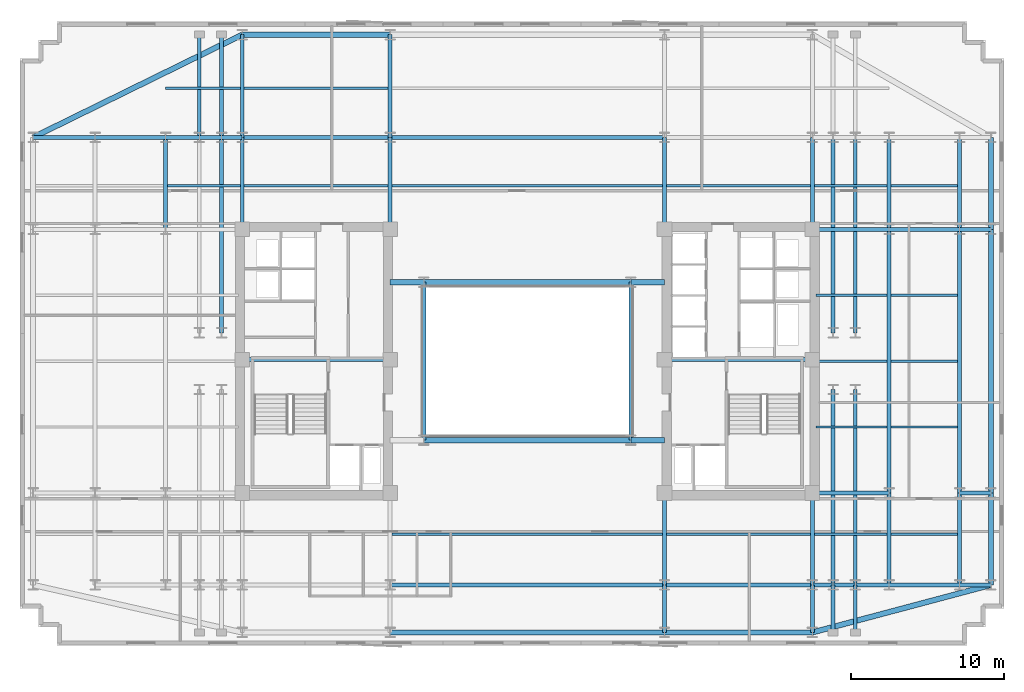
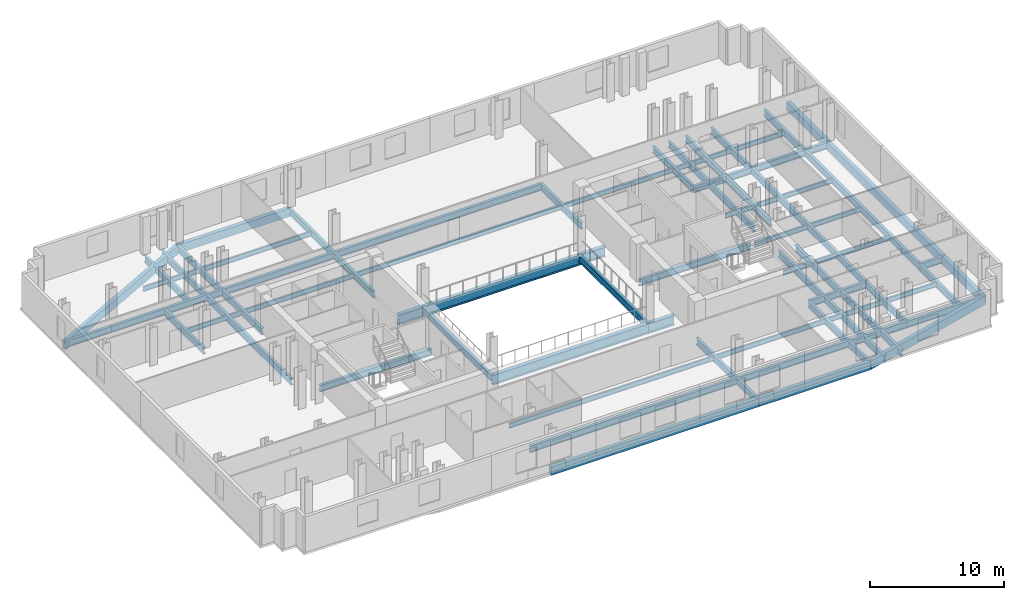
# One storey, part 2 of 10: 76 beams.
"""IFC4 building model written with IfcOpenShell, lengths in metres."""

from ifc_helpers import new_model, si_unit, direction, frame, origin, origin_2d, place, context, subcontext, project, spatial, rectangle, i_section, extrude, material, material_profile, profile_set, type_object, element, save


model = new_model("IFC4")

# Units and contexts
model_context = context("Model", 3, precision=1e-05, world=origin(), true_north=direction((0.0, 1.0)))
body_context = subcontext(model_context, "Body", "Model", "MODEL_VIEW")
ifc_project = project(units=[si_unit("LENGTHUNIT", "METRE"), si_unit("AREAUNIT", "SQUARE_METRE"), si_unit("VOLUMEUNIT", "CUBIC_METRE"), si_unit("PLANEANGLEUNIT", "RADIAN"), si_unit("MASSUNIT", "GRAM", prefix="KILO")], contexts=[model_context])

# Site, building, storey
site_placement = place(None, origin())
site = spatial("IfcSite", under=ifc_project, at=site_placement, CompositionType="ELEMENT")
building_placement = place(site_placement, origin())
building = spatial("IfcBuilding", under=site, at=building_placement, Name="Velakula Bourse", CompositionType="ELEMENT")
storey_placement = place(building_placement, frame((0.0, 0.0, 124.300048828125)))
storey = spatial("IfcBuildingStorey", under=building, at=storey_placement, Name="L33", CompositionType="ELEMENT", Elevation=124.300048828125)

# Beams
ifc_material_1 = material(Name="Steel IS 2062 Grade 350 (E350)", Category="steel")
ifc_material_profile_1 = material_profile(ifc_material_1, i_section(OverallWidth=0.25, OverallDepth=0.60009765625, WebThickness=0.01123046875, FlangeThickness=0.021240234375, at=origin_2d()), Name="Steel IS 2062 Grade 350 (E350)")
ifc_profile_set_1 = profile_set([ifc_material_profile_1], Name="Steel IS 2062 Grade 350 (E350)")
beam_type_1 = type_object("IfcBeamType", Name="BM-GRD-600M", PredefinedType="BEAM", material=ifc_profile_set_1)
for number, where, z_axis, x_axis, name in (
    (1, (-18.60009765625, 0.10009765625, -0.47998046875), (1.0, 0.0, 0.0), (0.0, 1.0, 0.0), "L33 Primary Backbone Girder CRW-M"),
    (2, (8.949951171875, 0.10009765625, -0.47998046875), (1.0, 0.0, 0.0), (0.0, 1.0, 0.0), "L33 Primary Backbone Girder CRE-M"),
):
    element("IfcBeam", number, at=place(storey_placement, frame(where, z_axis=z_axis, x_axis=x_axis)), inside=storey, type_object=beam_type_1, Name=name, PredefinedType="BEAM", context=body_context, shape_type="SweptSolid", body=[
        extrude(i_section(OverallWidth=0.25, OverallDepth=0.60009765625, WebThickness=0.01123046875, FlangeThickness=0.021240234375, at=origin_2d()), origin(), (0.0, 0.0, 1.0), 9.650146484375),
    ])
for number, where, z_axis, x_axis, name in (
    (3, (-6.75, -5.14990234375, -0.47998046875), (0.0, 1.0, 0.0), (-1.0, 0.0, 0.0), "L33 Primary Backbone Girder SPN-W"),
    (4, (6.75, -5.14990234375, -0.47998046875), (0.0, 1.0, 0.0), (-1.0, 0.0, 0.0), "L33 Primary Backbone Girder SPN-E"),
):
    element("IfcBeam", number, at=place(storey_placement, frame(where, z_axis=z_axis, x_axis=x_axis)), inside=storey, type_object=beam_type_1, Name=name, PredefinedType="BEAM", context=body_context, shape_type="SweptSolid", body=[
        extrude(i_section(OverallWidth=0.25, OverallDepth=0.60009765625, WebThickness=0.01123046875, FlangeThickness=0.021240234375, at=origin_2d()), origin(), (0.0, 0.0, 1.0), 10.2998046875),
    ])
for number, where, z_axis, x_axis, name in (
    (5, (-18.60009765625, 8.60009765625, -0.47998046875), (0.0, 1.0, 0.0), (-1.0, 0.0, 0.0), "L33 Fulcrum Grid Girder FLC-WN"),
    (6, (-8.949951171875, 8.60009765625, -0.47998046875), (0.0, 1.0, 0.0), (-1.0, 0.0, 0.0), "L33 Fulcrum Grid Girder FLC-WCN"),
    (7, (8.949951171875, -14.60009765625, -0.47998046875), (0.0, 1.0, 0.0), (-1.0, 0.0, 0.0), "L33 Fulcrum Grid Girder FLC-ECS"),
    (8, (8.949951171875, 8.60009765625, -0.47998046875), (0.0, 1.0, 0.0), (-1.0, 0.0, 0.0), "L33 Fulcrum Grid Girder FLC-ECN"),
    (9, (18.60009765625, -14.60009765625, -0.47998046875), (0.0, 1.0, 0.0), (-1.0, 0.0, 0.0), "L33 Fulcrum Grid Girder FLC-ES"),
    (10, (18.60009765625, 8.60009765625, -0.47998046875), (0.0, 1.0, 0.0), (-1.0, 0.0, 0.0), "L33 Fulcrum Grid Girder FLC-EN"),
):
    element("IfcBeam", number, at=place(storey_placement, frame(where, z_axis=z_axis, x_axis=x_axis)), inside=storey, type_object=beam_type_1, Name=name, PredefinedType="BEAM", context=body_context, shape_type="SweptSolid", body=[
        extrude(i_section(OverallWidth=0.25, OverallDepth=0.60009765625, WebThickness=0.01123046875, FlangeThickness=0.021240234375, at=origin_2d()), origin(), (0.0, 0.0, 1.0), 6.0),
    ])
beam_1_placement = place(storey_placement, frame((-8.949951171875, -14.60009765625, -0.47998046875), z_axis=(1.0, 0.0, 0.0), x_axis=(0.0, 1.0, 0.0)))
element("IfcBeam", 11, at=beam_1_placement, inside=storey, type_object=beam_type_1, Name="L33 Fulcrum Grid Girder FLC-S2", PredefinedType="BEAM", context=body_context, shape_type="SweptSolid", body=[
    extrude(i_section(OverallWidth=0.25, OverallDepth=0.60009765625, WebThickness=0.01123046875, FlangeThickness=0.021240234375, at=origin_2d()), origin(), (0.0, 0.0, 1.0), 17.89990234375),
])
for number, where, z_axis, x_axis, name in (
    (12, (8.949951171875, -14.60009765625, -0.47998046875), (1.0, 0.0, 0.0), (0.0, 1.0, 0.0), "L33 Fulcrum Grid Girder FLC-S3"),
    (13, (-18.60009765625, 14.60009765625, -0.47998046875), (1.0, 0.0, 0.0), (0.0, 1.0, 0.0), "L33 Fulcrum Grid Girder FLC-N1"),
):
    element("IfcBeam", number, at=place(storey_placement, frame(where, z_axis=z_axis, x_axis=x_axis)), inside=storey, type_object=beam_type_1, Name=name, PredefinedType="BEAM", context=body_context, shape_type="SweptSolid", body=[
        extrude(i_section(OverallWidth=0.25, OverallDepth=0.60009765625, WebThickness=0.01123046875, FlangeThickness=0.021240234375, at=origin_2d()), origin(), (0.0, 0.0, 1.0), 9.650146484375),
    ])
beam_2_placement = place(storey_placement, frame((-8.949951171875, 14.60009765625, -0.47998046875), z_axis=(1.0, 0.0, 0.0), x_axis=(0.0, 1.0, 0.0)))
element("IfcBeam", 14, at=beam_2_placement, inside=storey, type_object=beam_type_1, Name="L33 Fulcrum Grid Girder FLC-N2", PredefinedType="BEAM", context=body_context, shape_type="SweptSolid", body=[
    extrude(i_section(OverallWidth=0.25, OverallDepth=0.60009765625, WebThickness=0.01123046875, FlangeThickness=0.021240234375, at=origin_2d()), origin(), (0.0, 0.0, 1.0), 17.89990234375),
])
for number, where, z_axis, x_axis, name in (
    (15, (-19.949951171875, 1.85009765625, -0.47998046875), (0.0, 1.0, 0.0), (-1.0, 0.0, 0.0), "L33 Fulcrum Grid Girder FLC-PNW2"),
    (16, (19.949951171875, -14.60009765625, -0.47998046875), (0.0, 1.0, 0.0), (-1.0, 0.0, 0.0), "L33 Fulcrum Grid Girder FLC-PSE1"),
    (17, (19.949951171875, 1.85009765625, -0.47998046875), (0.0, 1.0, 0.0), (-1.0, 0.0, 0.0), "L33 Fulcrum Grid Girder FLC-PNE1"),
    (18, (21.39990234375, -14.60009765625, -0.47998046875), (0.0, 1.0, 0.0), (-1.0, 0.0, 0.0), "L33 Fulcrum Grid Girder FLC-PSE2"),
    (19, (21.39990234375, 1.85009765625, -0.47998046875), (0.0, 1.0, 0.0), (-1.0, 0.0, 0.0), "L33 Fulcrum Grid Girder FLC-PNE2"),
):
    element("IfcBeam", number, at=place(storey_placement, frame(where, z_axis=z_axis, x_axis=x_axis)), inside=storey, type_object=beam_type_1, Name=name, PredefinedType="BEAM", context=body_context, shape_type="SweptSolid", body=[
        extrude(i_section(OverallWidth=0.25, OverallDepth=0.60009765625, WebThickness=0.01123046875, FlangeThickness=0.021240234375, at=origin_2d()), origin(), (0.0, 0.0, 1.0), 12.75),
    ])
beam_3_placement = place(storey_placement, frame((-23.60009765625, 14.60009765625, -0.47998046875), z_axis=(1.0, 0.0, 0.0), x_axis=(0.0, 1.0, 0.0)))
element("IfcBeam", 20, at=beam_3_placement, inside=storey, type_object=beam_type_1, Name="L33 Fulcrum Grid Girder MWG-WN2", PredefinedType="BEAM", context=body_context, shape_type="SweptSolid", body=[
    extrude(i_section(OverallWidth=0.25, OverallDepth=0.60009765625, WebThickness=0.01123046875, FlangeThickness=0.021240234375, at=origin_2d()), origin(), (0.0, 0.0, 1.0), 5.0),
])
beam_4_placement = place(storey_placement, frame((-23.60009765625, 8.60009765625, -0.47998046875), z_axis=(0.0, 1.0, 0.0), x_axis=(-1.0, 0.0, 0.0)))
element("IfcBeam", 21, at=beam_4_placement, inside=storey, type_object=beam_type_1, Name="L33 Fulcrum Grid Girder MWG-WNS3", PredefinedType="BEAM", context=body_context, shape_type="SweptSolid", body=[
    extrude(i_section(OverallWidth=0.25, OverallDepth=0.60009765625, WebThickness=0.01123046875, FlangeThickness=0.021240234375, at=origin_2d()), origin(), (0.0, 0.0, 1.0), 6.0),
])
for number, where, z_axis, x_axis, name in (
    (22, (18.60009765625, -14.60009765625, -0.47998046875), (1.0, 0.0, 0.0), (0.0, 1.0, 0.0), "L33 Fulcrum Grid Girder MWG-ES1"),
    (23, (18.60009765625, -8.60009765625, -0.47998046875), (1.0, 0.0, 0.0), (0.0, 1.0, 0.0), "L33 Fulcrum Grid Girder MWG-ES2"),
    (24, (18.60009765625, 8.60009765625, -0.47998046875), (1.0, 0.0, 0.0), (0.0, 1.0, 0.0), "L33 Fulcrum Grid Girder MWG-EN1"),
):
    element("IfcBeam", number, at=place(storey_placement, frame(where, z_axis=z_axis, x_axis=x_axis)), inside=storey, type_object=beam_type_1, Name=name, PredefinedType="BEAM", context=body_context, shape_type="SweptSolid", body=[
        extrude(i_section(OverallWidth=0.25, OverallDepth=0.60009765625, WebThickness=0.01123046875, FlangeThickness=0.021240234375, at=origin_2d()), origin(), (0.0, 0.0, 1.0), 5.0),
    ])
beam_5_placement = place(storey_placement, frame((23.60009765625, -14.60009765625, -0.47998046875), z_axis=(0.0, 1.0, 0.0), x_axis=(-1.0, 0.0, 0.0)))
element("IfcBeam", 25, at=beam_5_placement, inside=storey, type_object=beam_type_1, Name="L33 Fulcrum Grid Girder MWG-ENS1", PredefinedType="BEAM", context=body_context, shape_type="SweptSolid", body=[
    extrude(i_section(OverallWidth=0.25, OverallDepth=0.60009765625, WebThickness=0.01123046875, FlangeThickness=0.021240234375, at=origin_2d()), origin(), (0.0, 0.0, 1.0), 6.0),
])
beam_6_placement = place(storey_placement, frame((23.60009765625, -8.60009765625, -0.47998046875), z_axis=(0.0, 1.0, 0.0), x_axis=(-1.0, 0.0, 0.0)))
element("IfcBeam", 26, at=beam_6_placement, inside=storey, type_object=beam_type_1, Name="L33 Fulcrum Grid Girder MWG-ENS2", PredefinedType="BEAM", context=body_context, shape_type="SweptSolid", body=[
    extrude(i_section(OverallWidth=0.25, OverallDepth=0.60009765625, WebThickness=0.01123046875, FlangeThickness=0.021240234375, at=origin_2d()), origin(), (0.0, 0.0, 1.0), 17.2001953125),
])
beam_7_placement = place(storey_placement, frame((23.60009765625, 8.60009765625, -0.47998046875), z_axis=(0.0, 1.0, 0.0), x_axis=(-1.0, 0.0, 0.0)))
element("IfcBeam", 27, at=beam_7_placement, inside=storey, type_object=beam_type_1, Name="L33 Fulcrum Grid Girder MWG-ENS3", PredefinedType="BEAM", context=body_context, shape_type="SweptSolid", body=[
    extrude(i_section(OverallWidth=0.25, OverallDepth=0.60009765625, WebThickness=0.01123046875, FlangeThickness=0.021240234375, at=origin_2d()), origin(), (0.0, 0.0, 1.0), 6.0),
])
for number, where, z_axis, x_axis, name in (
    (28, (-28.199951171875, 14.60009765625, -0.47998046875), (1.0, 0.0, 0.0), (0.0, 1.0, 0.0), "L33 Fulcrum Grid Girder WNG-WN2"),
    (29, (23.60009765625, -14.60009765625, -0.47998046875), (1.0, 0.0, 0.0), (0.0, 1.0, 0.0), "L33 Fulcrum Grid Girder WNG-ES1"),
    (30, (23.60009765625, 8.60009765625, -0.47998046875), (1.0, 0.0, 0.0), (0.0, 1.0, 0.0), "L33 Fulcrum Grid Girder WNG-EN1"),
):
    element("IfcBeam", number, at=place(storey_placement, frame(where, z_axis=z_axis, x_axis=x_axis)), inside=storey, type_object=beam_type_1, Name=name, PredefinedType="BEAM", context=body_context, shape_type="SweptSolid", body=[
        extrude(i_section(OverallWidth=0.25, OverallDepth=0.60009765625, WebThickness=0.01123046875, FlangeThickness=0.021240234375, at=origin_2d()), origin(), (0.0, 0.0, 1.0), 4.599853515625),
    ])
beam_8_placement = place(storey_placement, frame((28.199951171875, -14.60009765625, -0.47998046875), z_axis=(0.0, 1.0, 0.0), x_axis=(-1.0, 0.0, 0.0)))
element("IfcBeam", 31, at=beam_8_placement, inside=storey, type_object=beam_type_1, Name="L33 Fulcrum Grid Girder WNG-ENS1", PredefinedType="BEAM", context=body_context, shape_type="SweptSolid", body=[
    extrude(i_section(OverallWidth=0.25, OverallDepth=0.60009765625, WebThickness=0.01123046875, FlangeThickness=0.021240234375, at=origin_2d()), origin(), (0.0, 0.0, 1.0), 6.0),
])
beam_9_placement = place(storey_placement, frame((28.199951171875, -8.60009765625, -0.47998046875), z_axis=(0.0, 1.0, 0.0), x_axis=(-1.0, 0.0, 0.0)))
element("IfcBeam", 32, at=beam_9_placement, inside=storey, type_object=beam_type_1, Name="L33 Fulcrum Grid Girder WNG-ENS2", PredefinedType="BEAM", context=body_context, shape_type="SweptSolid", body=[
    extrude(i_section(OverallWidth=0.25, OverallDepth=0.60009765625, WebThickness=0.01123046875, FlangeThickness=0.021240234375, at=origin_2d()), origin(), (0.0, 0.0, 1.0), 17.2001953125),
])
beam_10_placement = place(storey_placement, frame((28.199951171875, 8.60009765625, -0.47998046875), z_axis=(0.0, 1.0, 0.0), x_axis=(-1.0, 0.0, 0.0)))
element("IfcBeam", 33, at=beam_10_placement, inside=storey, type_object=beam_type_1, Name="L33 Fulcrum Grid Girder WNG-ENS3", PredefinedType="BEAM", context=body_context, shape_type="SweptSolid", body=[
    extrude(i_section(OverallWidth=0.25, OverallDepth=0.60009765625, WebThickness=0.01123046875, FlangeThickness=0.021240234375, at=origin_2d()), origin(), (0.0, 0.0, 1.0), 6.0),
])
for number, where, z_axis, x_axis, name in (
    (34, (8.949951171875, -14.60009765625, -0.47998046875), (0.0, -1.0, 0.0), (1.0, 0.0, 0.0), "L33 Perimeter Tie Girder S3"),
    (35, (18.60009765625, -14.60009765625, -0.47998046875), (0.0, -1.0, 0.0), (1.0, 0.0, 0.0), "L33 Perimeter Tie Girder S4"),
):
    element("IfcBeam", number, at=place(storey_placement, frame(where, z_axis=z_axis, x_axis=x_axis)), inside=storey, type_object=beam_type_1, Name=name, PredefinedType="BEAM", context=body_context, shape_type="SweptSolid", body=[
        extrude(i_section(OverallWidth=0.25, OverallDepth=0.60009765625, WebThickness=0.01123046875, FlangeThickness=0.021240234375, at=origin_2d()), origin(), (0.0, 0.0, 1.0), 3.099853515625),
    ])
for number, where, z_axis, x_axis, name in (
    (36, (-18.60009765625, 14.60009765625, -0.47998046875), (0.0, 1.0, 0.0), (-1.0, 0.0, 0.0), "L33 Perimeter Tie Girder N1"),
    (37, (-8.949951171875, 14.60009765625, -0.47998046875), (0.0, 1.0, 0.0), (-1.0, 0.0, 0.0), "L33 Perimeter Tie Girder N2"),
):
    element("IfcBeam", number, at=place(storey_placement, frame(where, z_axis=z_axis, x_axis=x_axis)), inside=storey, type_object=beam_type_1, Name=name, PredefinedType="BEAM", context=body_context, shape_type="SweptSolid", body=[
        extrude(i_section(OverallWidth=0.25, OverallDepth=0.60009765625, WebThickness=0.01123046875, FlangeThickness=0.021240234375, at=origin_2d()), origin(), (0.0, 0.0, 1.0), 6.699951171875),
    ])
beam_11_placement = place(storey_placement, frame((-28.199951171875, 14.60009765625, -0.47998046875), z_axis=(-1.0, 0.0, 0.0), x_axis=(0.0, -1.0, 0.0)))
element("IfcBeam", 38, at=beam_11_placement, inside=storey, type_object=beam_type_1, Name="L33 Perimeter Tie Girder W4", PredefinedType="BEAM", context=body_context, shape_type="SweptSolid", body=[
    extrude(i_section(OverallWidth=0.25, OverallDepth=0.60009765625, WebThickness=0.01123046875, FlangeThickness=0.021240234375, at=origin_2d()), origin(), (0.0, 0.0, 1.0), 4.050048828125),
])
for number, where, z_axis, x_axis, name in (
    (39, (28.199951171875, -14.60009765625, -0.47998046875), (1.0, 0.0, 0.0), (0.0, 1.0, 0.0), "L33 Perimeter Tie Girder E1"),
    (40, (28.199951171875, -8.60009765625, -0.47998046875), (1.0, 0.0, 0.0), (0.0, 1.0, 0.0), "L33 Perimeter Tie Girder E2"),
    (41, (28.199951171875, 8.60009765625, -0.47998046875), (1.0, 0.0, 0.0), (0.0, 1.0, 0.0), "L33 Perimeter Tie Girder E3"),
):
    element("IfcBeam", number, at=place(storey_placement, frame(where, z_axis=z_axis, x_axis=x_axis)), inside=storey, type_object=beam_type_1, Name=name, PredefinedType="BEAM", context=body_context, shape_type="SweptSolid", body=[
        extrude(i_section(OverallWidth=0.25, OverallDepth=0.60009765625, WebThickness=0.01123046875, FlangeThickness=0.021240234375, at=origin_2d()), origin(), (0.0, 0.0, 1.0), 2.050048828125),
    ])
for number, where, z_axis, x_axis, name in (
    (42, (19.949951171875, -14.60009765625, -0.47998046875), (0.0, -1.0, 0.0), (1.0, 0.0, 0.0), "L33 Perimeter Tie Girder P03"),
    (43, (21.39990234375, -14.60009765625, -0.47998046875), (0.0, -1.0, 0.0), (1.0, 0.0, 0.0), "L33 Perimeter Tie Girder P04"),
):
    element("IfcBeam", number, at=place(storey_placement, frame(where, z_axis=z_axis, x_axis=x_axis)), inside=storey, type_object=beam_type_1, Name=name, PredefinedType="BEAM", context=body_context, shape_type="SweptSolid", body=[
        extrude(i_section(OverallWidth=0.25, OverallDepth=0.60009765625, WebThickness=0.01123046875, FlangeThickness=0.021240234375, at=origin_2d()), origin(), (0.0, 0.0, 1.0), 3.099853515625),
    ])
for number, where, z_axis, x_axis, name in (
    (44, (-21.39990234375, 14.60009765625, -0.47998046875), (0.0, 1.0, 0.0), (-1.0, 0.0, 0.0), "L33 Perimeter Tie Girder P05"),
    (45, (-19.949951171875, 14.60009765625, -0.47998046875), (0.0, 1.0, 0.0), (-1.0, 0.0, 0.0), "L33 Perimeter Tie Girder P06"),
):
    element("IfcBeam", number, at=place(storey_placement, frame(where, z_axis=z_axis, x_axis=x_axis)), inside=storey, type_object=beam_type_1, Name=name, PredefinedType="BEAM", context=body_context, shape_type="SweptSolid", body=[
        extrude(i_section(OverallWidth=0.25, OverallDepth=0.60009765625, WebThickness=0.01123046875, FlangeThickness=0.021240234375, at=origin_2d()), origin(), (0.0, 0.0, 1.0), 6.699951171875),
    ])
ifc_material_profile_2 = material_profile(ifc_material_1, i_section(OverallWidth=0.35009765625, OverallDepth=0.89990234375, WebThickness=0.02001953125, FlangeThickness=0.031982421875, at=origin_2d()), Name="Steel IS 2062 Grade 350 (E350)")
ifc_profile_set_2 = profile_set([ifc_material_profile_2], Name="Steel IS 2062 Grade 350 (E350)")
beam_type_2 = type_object("IfcBeamType", Name="BM-LNK-900", PredefinedType="BEAM", material=ifc_profile_set_2)
beam_12_placement = place(storey_placement, frame((-6.75, -5.14990234375, -0.630126953125), z_axis=(1.0, 0.0, 0.0), x_axis=(0.0, 1.0, 0.0)))
element("IfcBeam", 46, at=beam_12_placement, inside=storey, type_object=beam_type_2, Name="L33 Primary Backbone Girder LNK-S2", PredefinedType="BEAM", context=body_context, shape_type="SweptSolid", body=[
    extrude(i_section(OverallWidth=0.35009765625, OverallDepth=0.89990234375, WebThickness=0.02001953125, FlangeThickness=0.031982421875, at=origin_2d()), origin(), (0.0, 0.0, 1.0), 13.5),
])
for number, where, z_axis, x_axis, name in (
    (47, (6.75, -5.14990234375, -0.630126953125), (1.0, 0.0, 0.0), (0.0, 1.0, 0.0), "L33 Primary Backbone Girder LNK-S3"),
    (48, (-8.949951171875, 5.14990234375, -0.630126953125), (1.0, 0.0, 0.0), (0.0, 1.0, 0.0), "L33 Primary Backbone Girder LNK-N1"),
):
    element("IfcBeam", number, at=place(storey_placement, frame(where, z_axis=z_axis, x_axis=x_axis)), inside=storey, type_object=beam_type_2, Name=name, PredefinedType="BEAM", context=body_context, shape_type="SweptSolid", body=[
        extrude(i_section(OverallWidth=0.35009765625, OverallDepth=0.89990234375, WebThickness=0.02001953125, FlangeThickness=0.031982421875, at=origin_2d()), origin(), (0.0, 0.0, 1.0), 2.199951171875),
    ])
beam_13_placement = place(storey_placement, frame((-6.75, 5.14990234375, -0.630126953125), z_axis=(1.0, 0.0, 0.0), x_axis=(0.0, 1.0, 0.0)))
element("IfcBeam", 49, at=beam_13_placement, inside=storey, type_object=beam_type_2, Name="L33 Primary Backbone Girder LNK-N2", PredefinedType="BEAM", context=body_context, shape_type="SweptSolid", body=[
    extrude(i_section(OverallWidth=0.35009765625, OverallDepth=0.89990234375, WebThickness=0.02001953125, FlangeThickness=0.031982421875, at=origin_2d()), origin(), (0.0, 0.0, 1.0), 13.5),
])
beam_14_placement = place(storey_placement, frame((6.75, 5.14990234375, -0.630126953125), z_axis=(1.0, 0.0, 0.0), x_axis=(0.0, 1.0, 0.0)))
element("IfcBeam", 50, at=beam_14_placement, inside=storey, type_object=beam_type_2, Name="L33 Primary Backbone Girder LNK-N3", PredefinedType="BEAM", context=body_context, shape_type="SweptSolid", body=[
    extrude(i_section(OverallWidth=0.35009765625, OverallDepth=0.89990234375, WebThickness=0.02001953125, FlangeThickness=0.031982421875, at=origin_2d()), origin(), (0.0, 0.0, 1.0), 2.199951171875),
])
ifc_material_profile_3 = material_profile(ifc_material_1, i_section(OverallWidth=0.14990234375, OverallDepth=0.449951171875, WebThickness=0.009521484375, FlangeThickness=0.017333984375, at=origin_2d()), Name="Steel IS 2062 Grade 350 (E350)")
ifc_profile_set_3 = profile_set([ifc_material_profile_3], Name="Steel IS 2062 Grade 350 (E350)")
beam_type_3 = type_object("IfcBeamType", Name="JST-TWR-450", PredefinedType="JOIST", material=ifc_profile_set_3)
beam_15_placement = place(storey_placement, frame((-8.824951171875, -11.300048828125, -0.405029296875), z_axis=(1.0, 0.0, 0.0), x_axis=(0.0, 1.0, 0.0)))
element("IfcBeam", 51, at=beam_15_placement, inside=storey, type_object=beam_type_3, Name="L33 Trading Floor Composite Joist 05", PredefinedType="JOIST", context=body_context, shape_type="SweptSolid", body=[
    extrude(i_section(OverallWidth=0.14990234375, OverallDepth=0.449951171875, WebThickness=0.009521484375, FlangeThickness=0.017333984375, at=origin_2d()), origin(), (0.0, 0.0, 1.0), 17.64990234375),
])
beam_16_placement = place(storey_placement, frame((9.074951171875, -11.300048828125, -0.405029296875), z_axis=(1.0, 0.0, 0.0), x_axis=(0.0, 1.0, 0.0)))
element("IfcBeam", 52, at=beam_16_placement, inside=storey, type_object=beam_type_3, Name="L33 Trading Floor Composite Joist 06", PredefinedType="JOIST", context=body_context, shape_type="SweptSolid", body=[
    extrude(i_section(OverallWidth=0.14990234375, OverallDepth=0.449951171875, WebThickness=0.009521484375, FlangeThickness=0.017333984375, at=origin_2d()), origin(), (0.0, 0.0, 1.0), 9.400146484375),
])
beam_17_placement = place(storey_placement, frame((18.72509765625, -11.300048828125, -0.405029296875), z_axis=(1.0, 0.0, 0.0), x_axis=(0.0, 1.0, 0.0)))
element("IfcBeam", 53, at=beam_17_placement, inside=storey, type_object=beam_type_3, Name="L33 Trading Floor Composite Joist 07", PredefinedType="JOIST", context=body_context, shape_type="SweptSolid", body=[
    extrude(i_section(OverallWidth=0.14990234375, OverallDepth=0.449951171875, WebThickness=0.009521484375, FlangeThickness=0.017333984375, at=origin_2d()), origin(), (0.0, 0.0, 1.0), 4.75),
])
beam_18_placement = place(storey_placement, frame((23.72509765625, -11.300048828125, -0.405029296875), z_axis=(1.0, 0.0, 0.0), x_axis=(0.0, 1.0, 0.0)))
element("IfcBeam", 54, at=beam_18_placement, inside=storey, type_object=beam_type_3, Name="L33 Trading Floor Composite Joist 08", PredefinedType="JOIST", context=body_context, shape_type="SweptSolid", body=[
    extrude(i_section(OverallWidth=0.14990234375, OverallDepth=0.449951171875, WebThickness=0.009521484375, FlangeThickness=0.017333984375, at=origin_2d()), origin(), (0.0, 0.0, 1.0), 4.349853515625),
])
beam_19_placement = place(storey_placement, frame((-23.47509765625, 11.449951171875, -0.405029296875), z_axis=(1.0, 0.0, 0.0), x_axis=(0.0, 1.0, 0.0)))
element("IfcBeam", 55, at=beam_19_placement, inside=storey, type_object=beam_type_3, Name="L33 Trading Floor Composite Joist 11", PredefinedType="JOIST", context=body_context, shape_type="SweptSolid", body=[
    extrude(i_section(OverallWidth=0.14990234375, OverallDepth=0.449951171875, WebThickness=0.009521484375, FlangeThickness=0.017333984375, at=origin_2d()), origin(), (0.0, 0.0, 1.0), 4.75),
])
beam_20_placement = place(storey_placement, frame((-18.47509765625, 11.449951171875, -0.405029296875), z_axis=(1.0, 0.0, 0.0), x_axis=(0.0, 1.0, 0.0)))
element("IfcBeam", 56, at=beam_20_placement, inside=storey, type_object=beam_type_3, Name="L33 Trading Floor Composite Joist 12", PredefinedType="JOIST", context=body_context, shape_type="SweptSolid", body=[
    extrude(i_section(OverallWidth=0.14990234375, OverallDepth=0.449951171875, WebThickness=0.009521484375, FlangeThickness=0.017333984375, at=origin_2d()), origin(), (0.0, 0.0, 1.0), 9.400146484375),
])
beam_21_placement = place(storey_placement, frame((-8.824951171875, 11.449951171875, -0.405029296875), z_axis=(1.0, 0.0, 0.0), x_axis=(0.0, 1.0, 0.0)))
element("IfcBeam", 57, at=beam_21_placement, inside=storey, type_object=beam_type_3, Name="L33 Trading Floor Composite Joist 13", PredefinedType="JOIST", context=body_context, shape_type="SweptSolid", body=[
    extrude(i_section(OverallWidth=0.14990234375, OverallDepth=0.449951171875, WebThickness=0.009521484375, FlangeThickness=0.017333984375, at=origin_2d()), origin(), (0.0, 0.0, 1.0), 17.64990234375),
])
beam_22_placement = place(storey_placement, frame((9.074951171875, 11.449951171875, -0.405029296875), z_axis=(1.0, 0.0, 0.0), x_axis=(0.0, 1.0, 0.0)))
element("IfcBeam", 58, at=beam_22_placement, inside=storey, type_object=beam_type_3, Name="L33 Trading Floor Composite Joist 14", PredefinedType="JOIST", context=body_context, shape_type="SweptSolid", body=[
    extrude(i_section(OverallWidth=0.14990234375, OverallDepth=0.449951171875, WebThickness=0.009521484375, FlangeThickness=0.017333984375, at=origin_2d()), origin(), (0.0, 0.0, 1.0), 9.400146484375),
])
beam_23_placement = place(storey_placement, frame((18.72509765625, 11.449951171875, -0.405029296875), z_axis=(1.0, 0.0, 0.0), x_axis=(0.0, 1.0, 0.0)))
element("IfcBeam", 59, at=beam_23_placement, inside=storey, type_object=beam_type_3, Name="L33 Trading Floor Composite Joist 15", PredefinedType="JOIST", context=body_context, shape_type="SweptSolid", body=[
    extrude(i_section(OverallWidth=0.14990234375, OverallDepth=0.449951171875, WebThickness=0.009521484375, FlangeThickness=0.017333984375, at=origin_2d()), origin(), (0.0, 0.0, 1.0), 4.75),
])
beam_24_placement = place(storey_placement, frame((23.72509765625, 11.449951171875, -0.405029296875), z_axis=(1.0, 0.0, 0.0), x_axis=(0.0, 1.0, 0.0)))
element("IfcBeam", 60, at=beam_24_placement, inside=storey, type_object=beam_type_3, Name="L33 Trading Floor Composite Joist 16", PredefinedType="JOIST", context=body_context, shape_type="SweptSolid", body=[
    extrude(i_section(OverallWidth=0.14990234375, OverallDepth=0.449951171875, WebThickness=0.009521484375, FlangeThickness=0.017333984375, at=origin_2d()), origin(), (0.0, 0.0, 1.0), 4.349853515625),
])
beam_25_placement = place(storey_placement, frame((-23.60009765625, 17.800048828125, -0.405029296875), z_axis=(1.0, 0.0, 0.0), x_axis=(0.0, 1.0, 0.0)))
element("IfcBeam", 61, at=beam_25_placement, inside=storey, type_object=beam_type_3, Name="L33 Trading Floor Composite Joist 17", PredefinedType="JOIST", context=body_context, shape_type="SweptSolid", body=[
    extrude(i_section(OverallWidth=0.14990234375, OverallDepth=0.449951171875, WebThickness=0.009521484375, FlangeThickness=0.017333984375, at=origin_2d()), origin(), (0.0, 0.0, 1.0), 4.875),
])
beam_26_placement = place(storey_placement, frame((-18.47509765625, 17.800048828125, -0.405029296875), z_axis=(1.0, 0.0, 0.0), x_axis=(0.0, 1.0, 0.0)))
element("IfcBeam", 62, at=beam_26_placement, inside=storey, type_object=beam_type_3, Name="L33 Trading Floor Composite Joist 18", PredefinedType="JOIST", context=body_context, shape_type="SweptSolid", body=[
    extrude(i_section(OverallWidth=0.14990234375, OverallDepth=0.449951171875, WebThickness=0.009521484375, FlangeThickness=0.017333984375, at=origin_2d()), origin(), (0.0, 0.0, 1.0), 9.400146484375),
])
beam_27_placement = place(storey_placement, frame((18.85009765625, -4.300048828125, -0.405029296875), z_axis=(1.0, 0.0, 0.0), x_axis=(0.0, 1.0, 0.0)))
element("IfcBeam", 63, at=beam_27_placement, inside=storey, type_object=beam_type_3, Name="L33 Trading Floor Composite Joist 28", PredefinedType="JOIST", context=body_context, shape_type="SweptSolid", body=[
    extrude(i_section(OverallWidth=0.14990234375, OverallDepth=0.449951171875, WebThickness=0.009521484375, FlangeThickness=0.017333984375, at=origin_2d()), origin(), (0.0, 0.0, 1.0), 4.625),
])
beam_28_placement = place(storey_placement, frame((23.72509765625, -4.300048828125, -0.405029296875), z_axis=(1.0, 0.0, 0.0), x_axis=(0.0, 1.0, 0.0)))
element("IfcBeam", 64, at=beam_28_placement, inside=storey, type_object=beam_type_3, Name="L33 Trading Floor Composite Joist 29", PredefinedType="JOIST", context=body_context, shape_type="SweptSolid", body=[
    extrude(i_section(OverallWidth=0.14990234375, OverallDepth=0.449951171875, WebThickness=0.009521484375, FlangeThickness=0.017333984375, at=origin_2d()), origin(), (0.0, 0.0, 1.0), 4.349853515625),
])
beam_29_placement = place(storey_placement, frame((18.85009765625, 0.0, -0.405029296875), z_axis=(1.0, 0.0, 0.0), x_axis=(0.0, 1.0, 0.0)))
element("IfcBeam", 65, at=beam_29_placement, inside=storey, type_object=beam_type_3, Name="L33 Trading Floor Composite Joist 33", PredefinedType="JOIST", context=body_context, shape_type="SweptSolid", body=[
    extrude(i_section(OverallWidth=0.14990234375, OverallDepth=0.449951171875, WebThickness=0.009521484375, FlangeThickness=0.017333984375, at=origin_2d()), origin(), (0.0, 0.0, 1.0), 4.625),
])
beam_30_placement = place(storey_placement, frame((23.72509765625, 0.0, -0.405029296875), z_axis=(1.0, 0.0, 0.0), x_axis=(0.0, 1.0, 0.0)))
element("IfcBeam", 66, at=beam_30_placement, inside=storey, type_object=beam_type_3, Name="L33 Trading Floor Composite Joist 34", PredefinedType="JOIST", context=body_context, shape_type="SweptSolid", body=[
    extrude(i_section(OverallWidth=0.14990234375, OverallDepth=0.449951171875, WebThickness=0.009521484375, FlangeThickness=0.017333984375, at=origin_2d()), origin(), (0.0, 0.0, 1.0), 4.349853515625),
])
beam_31_placement = place(storey_placement, frame((18.85009765625, 4.300048828125, -0.405029296875), z_axis=(1.0, 0.0, 0.0), x_axis=(0.0, 1.0, 0.0)))
element("IfcBeam", 67, at=beam_31_placement, inside=storey, type_object=beam_type_3, Name="L33 Trading Floor Composite Joist 38", PredefinedType="JOIST", context=body_context, shape_type="SweptSolid", body=[
    extrude(i_section(OverallWidth=0.14990234375, OverallDepth=0.449951171875, WebThickness=0.009521484375, FlangeThickness=0.017333984375, at=origin_2d()), origin(), (0.0, 0.0, 1.0), 4.625),
])
beam_32_placement = place(storey_placement, frame((23.72509765625, 4.300048828125, -0.405029296875), z_axis=(1.0, 0.0, 0.0), x_axis=(0.0, 1.0, 0.0)))
element("IfcBeam", 68, at=beam_32_placement, inside=storey, type_object=beam_type_3, Name="L33 Trading Floor Composite Joist 39", PredefinedType="JOIST", context=body_context, shape_type="SweptSolid", body=[
    extrude(i_section(OverallWidth=0.14990234375, OverallDepth=0.449951171875, WebThickness=0.009521484375, FlangeThickness=0.017333984375, at=origin_2d()), origin(), (0.0, 0.0, 1.0), 4.349853515625),
])
ifc_material_2 = material(Name="Precast concrete M45 (fck 45 MPa)", Category="concrete")
ifc_material_profile_4 = material_profile(ifc_material_2, rectangle(XDim=0.35009765625, YDim=0.75, at=origin_2d()), Name="Precast concrete M45 (fck 45 MPa)")
ifc_profile_set_4 = profile_set([ifc_material_profile_4], Name="Precast concrete M45 (fck 45 MPa)")
beam_type_4 = type_object("IfcBeamType", Name="SPN-BRICK-750", PredefinedType="SPANDREL", material=ifc_profile_set_4)
beam_33_placement = place(storey_placement, frame((-8.949951171875, -17.699951171875, -0.554931640625), z_axis=(1.0, 0.0, 0.0), x_axis=(0.0, 1.0, 0.0)))
element("IfcBeam", 69, at=beam_33_placement, inside=storey, type_object=beam_type_4, Name="L33 Brick-Faced Precast Spandrel S2-S3", PredefinedType="SPANDREL", context=body_context, shape_type="SweptSolid", body=[
    extrude(rectangle(XDim=0.35009765625, YDim=0.75, at=origin_2d()), origin(), (0.0, 0.0, 1.0), 17.89990234375),
])
for number, where, z_axis, x_axis, name in (
    (70, (8.949951171875, -17.699951171875, -0.554931640625), (1.0, 0.0, 0.0), (0.0, 1.0, 0.0), "L33 Brick-Faced Precast Spandrel S3-S4"),
    (71, (-18.60009765625, 21.300048828125, -0.554931640625), (1.0, 0.0, 0.0), (0.0, 1.0, 0.0), "L33 Brick-Faced Precast Spandrel N1-N2"),
):
    element("IfcBeam", number, at=place(storey_placement, frame(where, z_axis=z_axis, x_axis=x_axis)), inside=storey, type_object=beam_type_4, Name=name, PredefinedType="SPANDREL", context=body_context, shape_type="SweptSolid", body=[
        extrude(rectangle(XDim=0.35009765625, YDim=0.75, at=origin_2d()), origin(), (0.0, 0.0, 1.0), 9.650146484375),
    ])
beam_34_placement = place(storey_placement, frame((30.25, -14.60009765625, -0.554931640625), z_axis=(0.0, 1.0, 0.0), x_axis=(-1.0, 0.0, 0.0)))
element("IfcBeam", 72, at=beam_34_placement, inside=storey, type_object=beam_type_4, Name="L33 Brick-Faced Precast Spandrel E1-E2", PredefinedType="SPANDREL", context=body_context, shape_type="SweptSolid", body=[
    extrude(rectangle(XDim=0.35009765625, YDim=0.75, at=origin_2d()), origin(), (0.0, 0.0, 1.0), 6.0),
])
beam_35_placement = place(storey_placement, frame((30.25, -8.60009765625, -0.554931640625), z_axis=(0.0, 1.0, 0.0), x_axis=(-1.0, 0.0, 0.0)))
element("IfcBeam", 73, at=beam_35_placement, inside=storey, type_object=beam_type_4, Name="L33 Brick-Faced Precast Spandrel E2-E3", PredefinedType="SPANDREL", context=body_context, shape_type="SweptSolid", body=[
    extrude(rectangle(XDim=0.35009765625, YDim=0.75, at=origin_2d()), origin(), (0.0, 0.0, 1.0), 17.2001953125),
])
beam_36_placement = place(storey_placement, frame((30.25, 8.60009765625, -0.554931640625), z_axis=(0.0, 1.0, 0.0), x_axis=(-1.0, 0.0, 0.0)))
element("IfcBeam", 74, at=beam_36_placement, inside=storey, type_object=beam_type_4, Name="L33 Brick-Faced Precast Spandrel E3-E4", PredefinedType="SPANDREL", context=body_context, shape_type="SweptSolid", body=[
    extrude(rectangle(XDim=0.35009765625, YDim=0.75, at=origin_2d()), origin(), (0.0, 0.0, 1.0), 6.0),
])
beam_37_placement = place(storey_placement, frame((18.60009765625, -17.699951171875, -0.554931640625), z_axis=(0.966374962557, 0.257136990226, 0.0), x_axis=(-0.257136990226, 0.966374962557, 0.0)))
element("IfcBeam", 75, at=beam_37_placement, inside=storey, type_object=beam_type_4, Name="L33 Brick-Faced Precast Spandrel S4-E1", PredefinedType="SPANDREL", context=body_context, shape_type="SweptSolid", body=[
    extrude(rectangle(XDim=0.35009765625, YDim=0.75, at=origin_2d()), origin(), (0.0, 0.0, 1.0), 12.05517578125),
])
beam_38_placement = place(storey_placement, frame((-18.60009765625, 21.300048828125, -0.554931640625), z_axis=(-0.897691282679, -0.440624966385, 0.0), x_axis=(0.440624966385, -0.897691282679, 0.0)))
element("IfcBeam", 76, at=beam_38_placement, inside=storey, type_object=beam_type_4, Name="L33 Brick-Faced Precast Spandrel N1-W4", PredefinedType="SPANDREL", context=body_context, shape_type="SweptSolid", body=[
    extrude(rectangle(XDim=0.35009765625, YDim=0.75, at=origin_2d()), origin(), (0.0, 0.0, 1.0), 15.20556640625),
])

save(model, "model.ifc")
